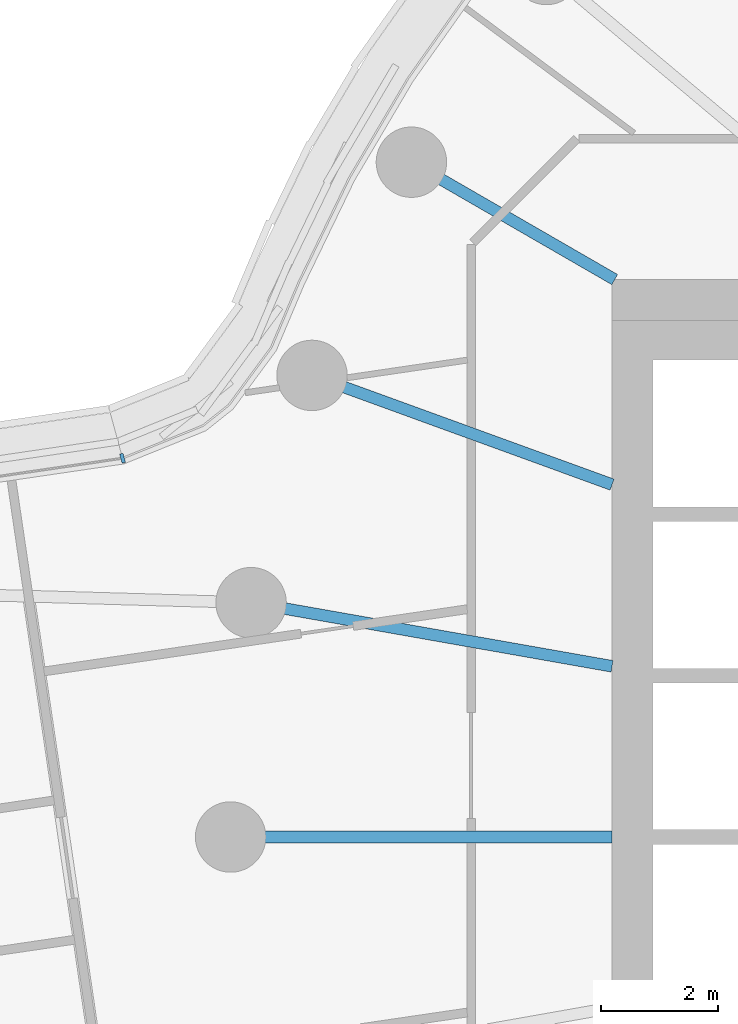
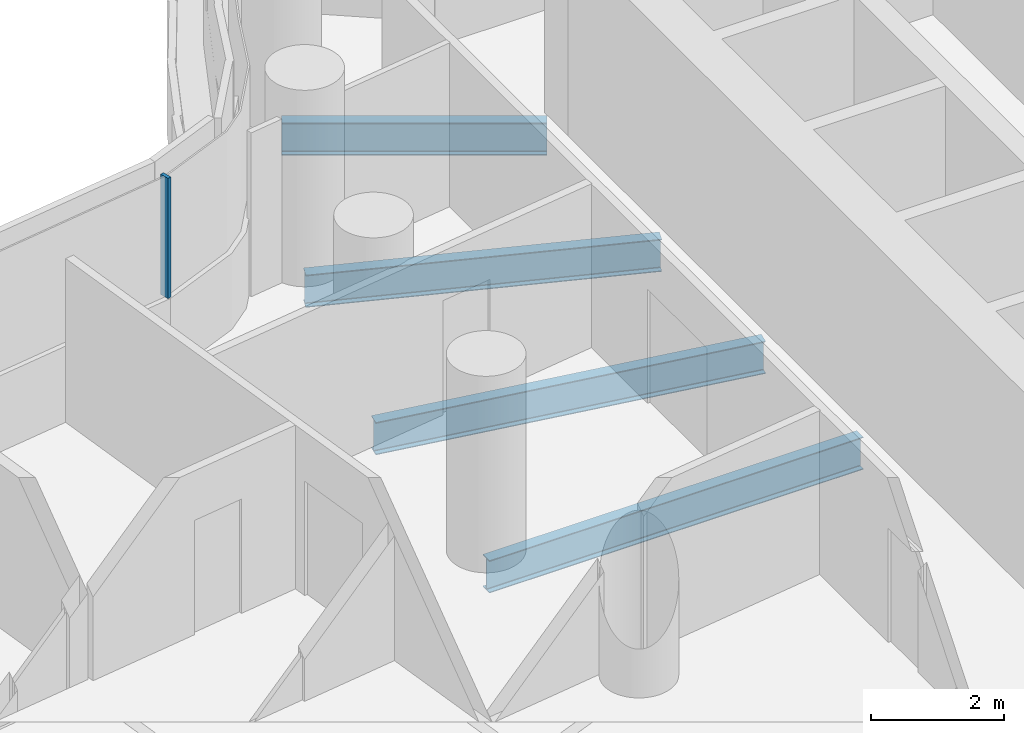
# One storey, part 7 of 31: 4 beams, 1 member, 1 element without a shape of its own.
"""IFC4 building model written with IfcOpenShell, lengths in metres."""

from ifc_helpers import new_model, si_unit, direction, frame, origin, origin_2d, place, context, subcontext, project, spatial, rectangle, i_section, extrude, material, layer, layer_set, material_profile, profile_set, type_object, element, aggregate, save


model = new_model("IFC4")

# Units and contexts
model_context = context("Model", 3, precision=1e-05, world=origin(), true_north=direction((0.0, 1.0)))
body_context = subcontext(model_context, "Body", "Model", "MODEL_VIEW")
ifc_project = project(units=[si_unit("LENGTHUNIT", "METRE"), si_unit("AREAUNIT", "SQUARE_METRE"), si_unit("VOLUMEUNIT", "CUBIC_METRE"), si_unit("PLANEANGLEUNIT", "RADIAN"), si_unit("MASSUNIT", "GRAM", prefix="KILO")], contexts=[model_context])

# Site, building, storey
site_placement = place(None, origin())
site = spatial("IfcSite", under=ifc_project, at=site_placement, CompositionType="ELEMENT")
building_placement = place(site_placement, origin())
building = spatial("IfcBuilding", under=site, at=building_placement, Name="Tamarind Cross Interchange Tower", CompositionType="ELEMENT")
storey_placement = place(building_placement, frame((0.0, 0.0, 64.0)))
storey = spatial("IfcBuildingStorey", under=building, at=storey_placement, Name="L14", CompositionType="ELEMENT", Elevation=64.0)

# Beams
ifc_material_1 = material(Name="Steel Q355B", Category="steel")
ifc_material_profile_1 = material_profile(ifc_material_1, i_section(OverallWidth=0.198974609375, OverallDepth=0.595947265625, WebThickness=0.010009765625, FlangeThickness=0.014892578125, FilletRadius=0.012939453125, at=origin_2d()), Name="HN 596x199x10x15")
ifc_profile_set_1 = profile_set([ifc_material_profile_1], Name="Steel Q355B")
beam_type = type_object("IfcBeamType", Name="Composite beam HN 596x199x10x15 Q355B", PredefinedType="BEAM", material=ifc_profile_set_1)
beam_1_placement = place(storey_placement, frame((-19.918701171875, 11.5, -0.43798828125), z_axis=(0.866026010844, -0.49999894854, 0.0), x_axis=(0.49999894854, 0.866026010844, 0.0)))
element("IfcBeam", 1, at=beam_1_placement, inside=storey, type_object=beam_type, Name="Beam HH15", PredefinedType="BEAM", context=body_context, shape_type="SweptSolid", body=[
    extrude(i_section(OverallWidth=0.198974609375, OverallDepth=0.595947265625, WebThickness=0.010009765625, FlangeThickness=0.014892578125, FilletRadius=0.012939453125, at=origin_2d()), origin(), (0.0, 0.0, 1.0), 4.0),
])
beam_2_placement = place(storey_placement, frame((-21.613037109375, 7.866455078125, -0.43798828125), z_axis=(0.939701685589, -0.341995236956, 0.0), x_axis=(0.341995236956, 0.939701685589, 0.0)))
element("IfcBeam", 2, at=beam_2_placement, inside=storey, type_object=beam_type, Name="Beam HH16", PredefinedType="BEAM", context=body_context, shape_type="SweptSolid", body=[
    extrude(i_section(OverallWidth=0.198974609375, OverallDepth=0.595947265625, WebThickness=0.010009765625, FlangeThickness=0.014892578125, FilletRadius=0.012939453125, at=origin_2d()), origin(), (0.0, 0.0, 1.0), 5.441162109375),
])
beam_3_placement = place(storey_placement, frame((-22.650634765625, 3.993896484375, -0.43798828125), z_axis=(0.984809127561, -0.173640382036, 0.0), x_axis=(0.173640382036, 0.984809127561, 0.0)))
element("IfcBeam", 3, at=beam_3_placement, inside=storey, type_object=beam_type, Name="Beam HH17", PredefinedType="BEAM", context=body_context, shape_type="SweptSolid", body=[
    extrude(i_section(OverallWidth=0.198974609375, OverallDepth=0.595947265625, WebThickness=0.010009765625, FlangeThickness=0.014892578125, FilletRadius=0.012939453125, at=origin_2d()), origin(), (0.0, 0.0, 1.0), 6.24560546875),
])
beam_4_placement = place(storey_placement, frame((-23.0, 0.0, -0.43798828125), z_axis=(1.0, 0.0, 0.0), x_axis=(0.0, 1.0, 0.0)))
element("IfcBeam", 4, at=beam_4_placement, inside=storey, type_object=beam_type, Name="Beam HH18", PredefinedType="BEAM", context=body_context, shape_type="SweptSolid", body=[
    extrude(i_section(OverallWidth=0.198974609375, OverallDepth=0.595947265625, WebThickness=0.010009765625, FlangeThickness=0.014892578125, FilletRadius=0.012939453125, at=origin_2d()), origin(), (0.0, 0.0, 1.0), 6.5),
])

# Curtain wall, member
ifc_material_2 = material(Name="Aluminium 6063-T6", Category="aluminium")
ifc_layer = layer(ifc_material_2, 0.159912109375)
ifc_layer_set = layer_set([ifc_layer], Name="Aluminium 6063-T6")
curtain_wall_type = type_object("IfcCurtainWallType", Name="Office curtain wall, 9.0 m bays", PredefinedType="NOTDEFINED", material=ifc_layer_set)
curtain_wall_placement = place(storey_placement, origin())
curtain_wall = element("IfcCurtainWall", 5, at=curtain_wall_placement, inside=storey, type_object=curtain_wall_type, Name="CWS-L14-15", PredefinedType="NOTDEFINED")
ifc_material_profile_2 = material_profile(ifc_material_2, rectangle(XDim=0.06005859375, YDim=0.159912109375, at=origin_2d()), Name="Mullion CW1")
ifc_profile_set_2 = profile_set([ifc_material_profile_2], Name="Aluminium 6063-T6")
member_type = type_object("IfcMemberType", Name="Mullion CW1", PredefinedType="MULLION", material=ifc_profile_set_2)
member_placement = place(storey_placement, frame((-24.841796875, 6.45556640625, 1.39990234375), z_axis=(0.0, 0.0, 1.0), x_axis=(-0.964974463164, -0.262343830575, 0.0)))
member = element("IfcMember", 6, at=member_placement, type_object=member_type, Name="CWM-L14-15-00", PredefinedType="MULLION", context=body_context, shape_type="SweptSolid", body=[
    extrude(rectangle(XDim=0.06005859375, YDim=0.159912109375, at=origin_2d()), origin(), (0.0, 0.0, 1.0), 2.210205078125),
])
aggregate(curtain_wall, [member])

save(model, "model.ifc")
